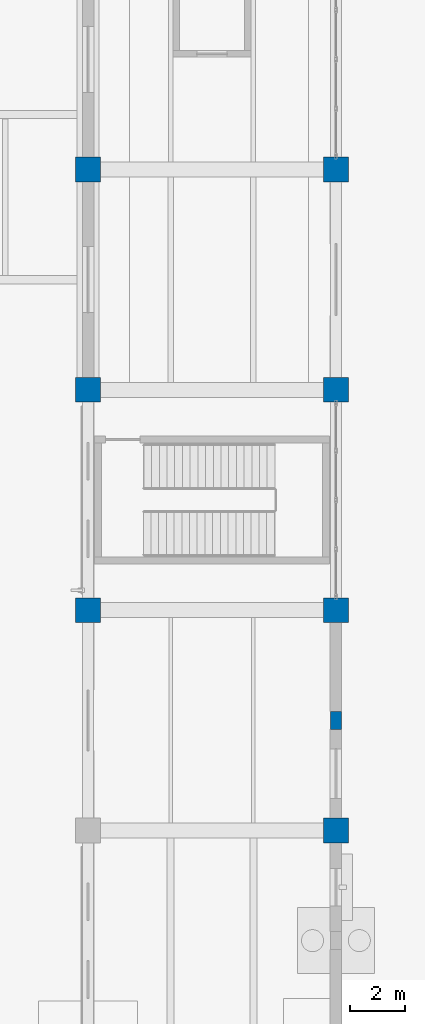
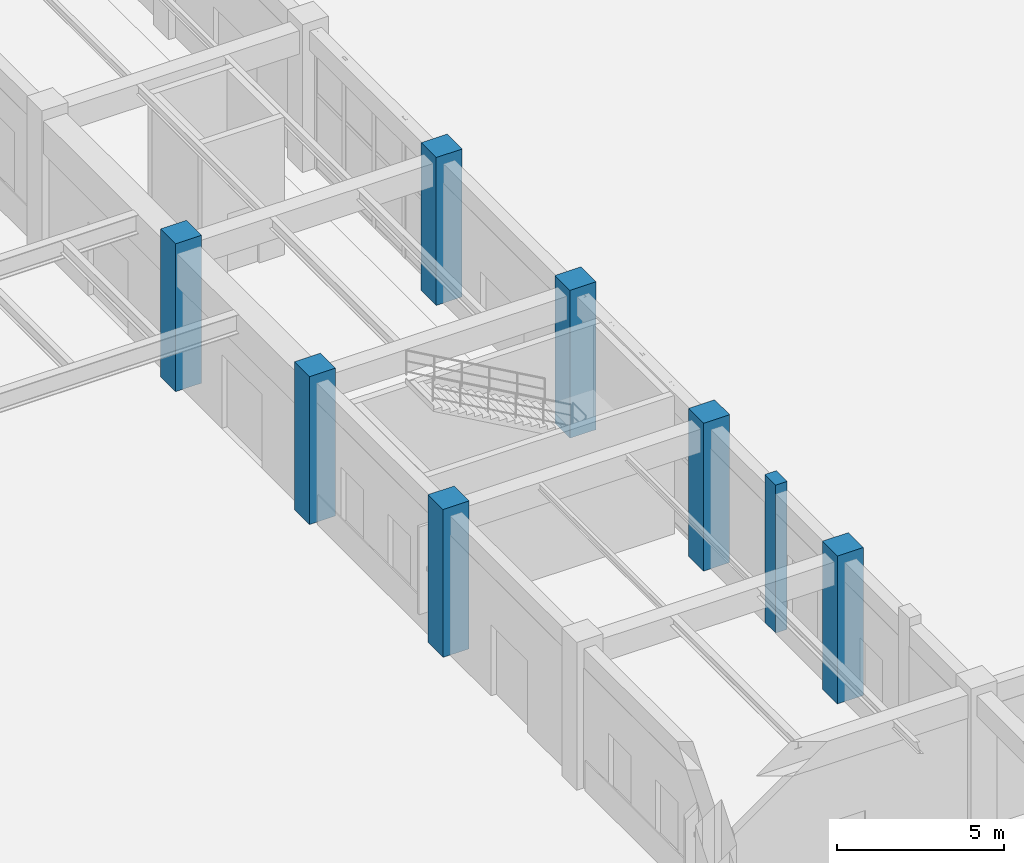
# One storey, part 11 of 121: 8 columns.
"""IFC4 building model written with IfcOpenShell, lengths in metres."""

from ifc_helpers import new_model, si_unit, derived_unit, direction, frame, origin, origin_2d, place, context, subcontext, project, spatial, rectangle, extrude, material, material_profile, profile_set, type_object, element, save


model = new_model("IFC4")

# Units and contexts
model_context = context("Model", 3, precision=1e-05, world=origin(), true_north=direction((0.0, 1.0)))
body_context = subcontext(model_context, "Body", "Model", "MODEL_VIEW")
ifc_project = project(units=[si_unit("LENGTHUNIT", "METRE"), si_unit("AREAUNIT", "SQUARE_METRE"), si_unit("VOLUMEUNIT", "CUBIC_METRE"), si_unit("PLANEANGLEUNIT", "RADIAN"), si_unit("MASSUNIT", "GRAM", prefix="KILO"), derived_unit("THERMALTRANSMITTANCEUNIT", [(si_unit("MASSUNIT", "GRAM", prefix="KILO"), 1), (si_unit("TIMEUNIT", "SECOND"), -3), (si_unit("THERMODYNAMICTEMPERATUREUNIT", "KELVIN"), -1)])], contexts=[model_context])

# Site, building, storey
site_placement = place(None, origin())
site = spatial("IfcSite", under=ifc_project, at=site_placement, CompositionType="ELEMENT")
building_placement = place(site_placement, origin())
building = spatial("IfcBuilding", under=site, at=building_placement, Name="Zhenchuan Archway Interchange", CompositionType="ELEMENT")
storey_placement = place(building_placement, origin())
storey = spatial("IfcBuildingStorey", under=building, at=storey_placement, Name="L00", CompositionType="ELEMENT", Elevation=0.0)

# Columns
ifc_material_1 = material(Name="Concrete C50", Category="concrete")
ifc_material_profile_1 = material_profile(ifc_material_1, rectangle(XDim=0.89990234375, YDim=0.89990234375, at=origin_2d()), Name="RC 900x900")
ifc_profile_set_1 = profile_set([ifc_material_profile_1], Name="Concrete C50")
column_type_1 = type_object("IfcColumnType", Name="COL_RC_900_T", PredefinedType="COLUMN", material=ifc_profile_set_1)
for number, where, z_axis, x_axis, name in (
    (1, (99.0, 40.0, 0.0), (0.0, 0.0, 1.0), (1.0, 0.0, 0.0), "Column 12/F (L00)"),
    (2, (99.0, 48.0, 0.0), (0.0, 0.0, 1.0), (1.0, 0.0, 0.0), "Column 12/G (L00)"),
    (3, (99.0, 56.0, 0.0), (0.0, 0.0, 1.0), (1.0, 0.0, 0.0), "Column 12/H (L00)"),
    (4, (108.0, 32.0, 0.0), (0.0, 0.0, 1.0), (1.0, 0.0, 0.0), "Column 13/E (L00)"),
    (5, (108.0, 40.0, 0.0), (0.0, 0.0, 1.0), (1.0, 0.0, 0.0), "Column 13/F (L00)"),
    (6, (108.0, 48.0, 0.0), (0.0, 0.0, 1.0), (1.0, 0.0, 0.0), "Column 13/G (L00)"),
    (7, (108.0, 56.0, 0.0), (0.0, 0.0, 1.0), (1.0, 0.0, 0.0), "Column 13/H (L00)"),
):
    element("IfcColumn", number, at=place(storey_placement, frame(where, z_axis=z_axis, x_axis=x_axis)), inside=storey, type_object=column_type_1, Name=name, PredefinedType="COLUMN", context=body_context, shape_type="SweptSolid", body=[
        extrude(rectangle(XDim=0.89990234375, YDim=0.89990234375, at=origin_2d()), origin(), (0.0, 0.0, 1.0), 5.39990234375),
    ])
ifc_material_2 = material(Name="Concrete C40", Category="concrete")
ifc_material_profile_2 = material_profile(ifc_material_2, rectangle(XDim=0.39990234375, YDim=0.64990234375, at=origin_2d()), Name="RC 400x650")
ifc_profile_set_2 = profile_set([ifc_material_profile_2], Name="Concrete C40")
column_type_2 = type_object("IfcColumnType", Name="PIL_COURT_400x650", PredefinedType="PILASTER", material=ifc_profile_set_2)
column_placement = place(storey_placement, frame((108.0, 36.0, 0.0), z_axis=(0.0, 0.0, 1.0), x_axis=(1.0, 0.0, 0.0)))
element("IfcColumn", 8, at=column_placement, inside=storey, type_object=column_type_2, Name="Colonnade pilaster CRT-W2 (L00)", PredefinedType="PILASTER", context=body_context, shape_type="SweptSolid", body=[
    extrude(rectangle(XDim=0.39990234375, YDim=0.64990234375, at=origin_2d()), origin(), (0.0, 0.0, 1.0), 5.39990234375),
])

save(model, "model.ifc")
